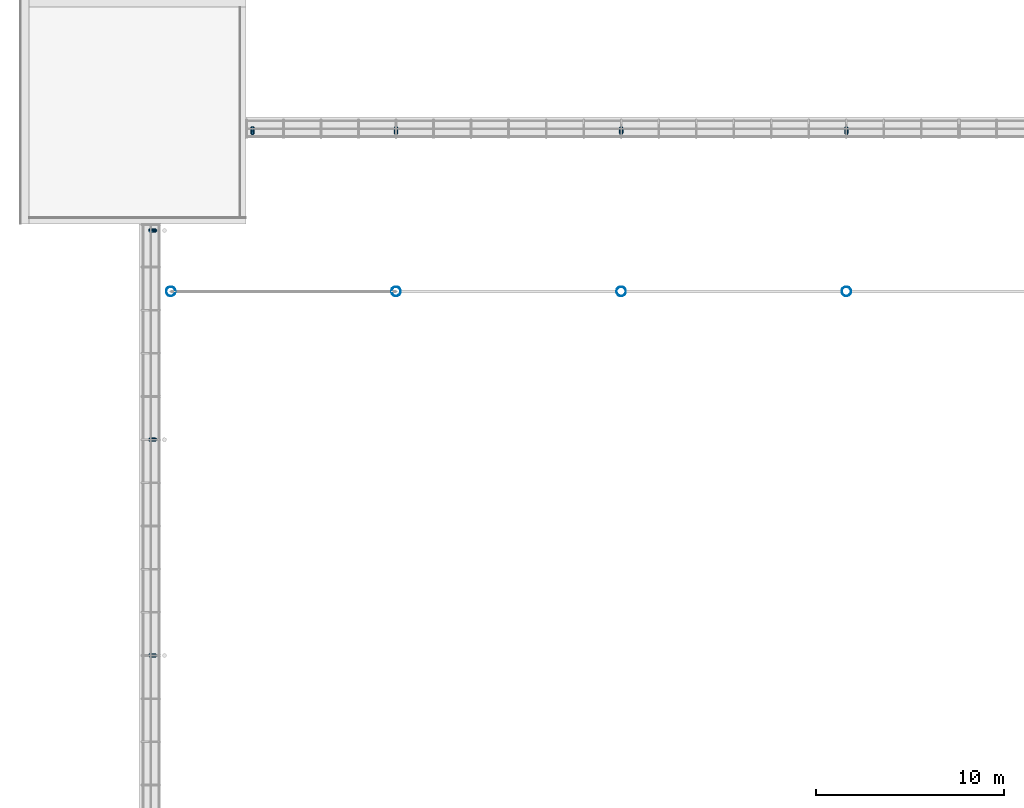
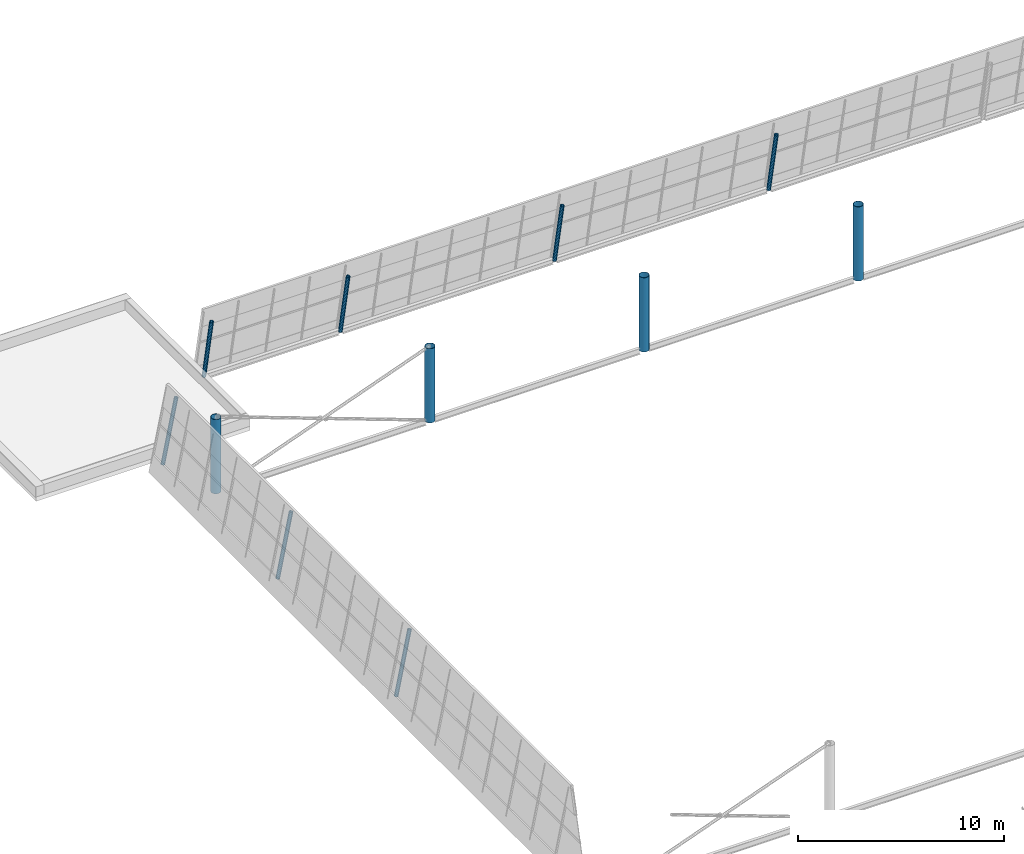
# One storey, part 2 of 50: 11 columns.
"""IFC4 building model written with IfcOpenShell, lengths in metres."""

from ifc_helpers import new_model, si_unit, direction, frame, origin, origin_2d, place, context, subcontext, project, spatial, hollow_circle, extrude, material, material_profile, profile_set, type_object, element, save


model = new_model("IFC4")

# Units and contexts
model_context = context("Model", 3, precision=1e-05, world=origin(), true_north=direction((0.0, 1.0)))
body_context = subcontext(model_context, "Body", "Model", "MODEL_VIEW")
ifc_project = project(units=[si_unit("LENGTHUNIT", "METRE"), si_unit("AREAUNIT", "SQUARE_METRE"), si_unit("VOLUMEUNIT", "CUBIC_METRE"), si_unit("PLANEANGLEUNIT", "RADIAN"), si_unit("MASSUNIT", "GRAM", prefix="KILO")], contexts=[model_context])

# Site, building, storey
site_placement = place(None, origin())
site = spatial("IfcSite", under=ifc_project, at=site_placement, CompositionType="ELEMENT")
building_placement = place(site_placement, origin())
building = spatial("IfcBuilding", under=site, at=building_placement, Name="Windward Yard Aquatics Centre", CompositionType="ELEMENT")
storey_placement = place(building_placement, frame((0.0, 0.0, 18.199951171875)))
storey = spatial("IfcBuildingStorey", under=building, at=storey_placement, Name="L04", CompositionType="ELEMENT", Elevation=18.199951171875)

# Columns
ifc_material = material(Name="Steel ASTM A500 Gr C", Category="steel")
ifc_material_profile_1 = material_profile(ifc_material, hollow_circle(Radius=0.25390625, WallThickness=0.015869140625, at=origin_2d()), Name="HSS508X15.9")
ifc_profile_set_1 = profile_set([ifc_material_profile_1], Name="Steel ASTM A500 Gr C")
column_type_1 = type_object("IfcColumnType", Name="H arch column HSS508X15.9", PredefinedType="COLUMN", material=ifc_profile_set_1)
for number, where, z_axis, x_axis, name in (
    (1, (60.0, 80.39990234375, 0.0), (0.0, 0.0, 1.0), (1.0, 0.0, 0.0), "H.AC.N1.L04"),
    (2, (72.0, 80.39990234375, 0.0), (0.0, 0.0, 1.0), (1.0, 0.0, 0.0), "H.AC.N2.L04"),
    (3, (84.0, 80.39990234375, 0.0), (0.0, 0.0, 1.0), (1.0, 0.0, 0.0), "H.AC.N3.L04"),
    (4, (96.0, 80.39990234375, 0.0), (0.0, 0.0, 1.0), (1.0, 0.0, 0.0), "H.AC.N4.L04"),
):
    element("IfcColumn", number, at=place(storey_placement, frame(where, z_axis=z_axis, x_axis=x_axis)), inside=storey, type_object=column_type_1, Name=name, PredefinedType="COLUMN", context=body_context, shape_type="SweptSolid", body=[
        extrude(hollow_circle(Radius=0.25390625, WallThickness=0.015869140625, at=origin_2d()), origin(), (0.0, 0.0, 1.0), 4.400146484375),
    ])
ifc_material_profile_2 = material_profile(ifc_material, hollow_circle(Radius=0.109619140625, WallThickness=0.0126953125, at=origin_2d()), Name="HSS219.1X12.7")
ifc_profile_set_2 = profile_set([ifc_material_profile_2], Name="Steel ASTM A500 Gr C")
column_type_2 = type_object("IfcColumnType", Name="H tier 2 leg HSS219.1X12.7", PredefinedType="COLUMN", material=ifc_profile_set_2)
for number, where, z_axis, x_axis, name in (
    (5, (64.35009765625, 89.09521484375, 0.0), (0.0, -0.199397546047, 0.979918679601), (1.0, 0.0, 0.0), "H.TL.N1.T2B.L04"),
    (6, (72.0, 89.09521484375, 0.0), (0.0, -0.199397546047, 0.979918679601), (1.0, 0.0, 0.0), "H.TL.N2.T2B.L04"),
    (7, (84.0, 89.09521484375, 0.0), (0.0, -0.199397546047, 0.979918679601), (1.0, 0.0, 0.0), "H.TL.N3.T2B.L04"),
    (8, (96.0, 89.09521484375, 0.0), (0.0, -0.199397546047, 0.979918679601), (1.0, 0.0, 0.0), "H.TL.N4.T2B.L04"),
    (9, (58.90478515625, 61.0, 0.0), (0.199397546047, 0.0, 0.979918679601), (0.0, 1.0, 0.0), "H.TL.W3.T2B.L04"),
    (10, (58.90478515625, 72.5, 0.0), (0.199397546047, 0.0, 0.979918679601), (0.0, 1.0, 0.0), "H.TL.W4.T2B.L04"),
    (11, (58.90478515625, 83.64990234375, 0.0), (0.199397546047, 0.0, 0.979918679601), (0.0, 1.0, 0.0), "H.TL.W5.T2B.L04"),
):
    element("IfcColumn", number, at=place(storey_placement, frame(where, z_axis=z_axis, x_axis=x_axis)), inside=storey, type_object=column_type_2, Name=name, PredefinedType="COLUMN", context=body_context, shape_type="SweptSolid", body=[
        extrude(hollow_circle(Radius=0.109619140625, WallThickness=0.0126953125, at=origin_2d()), origin(), (0.0, 0.0, 1.0), 3.776123046875),
    ])

save(model, "model.ifc")
